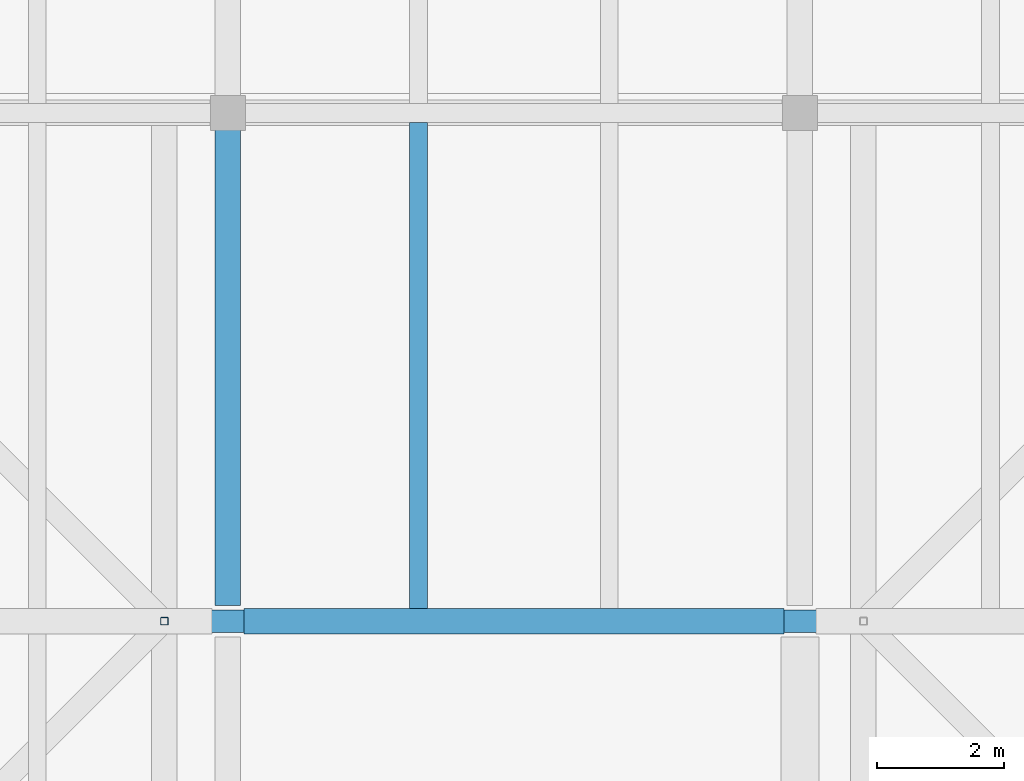
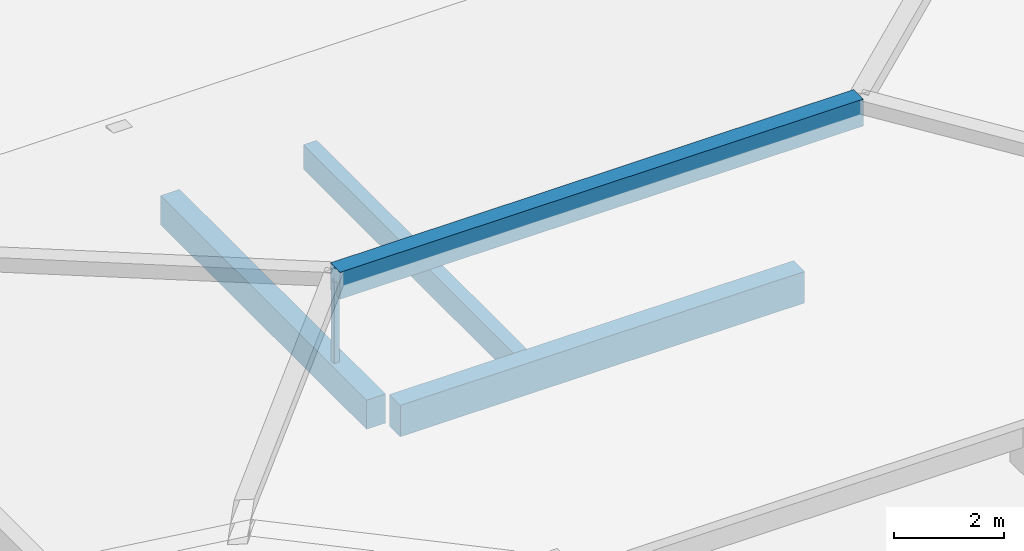
# One storey, part 25 of 56: 4 beams, 1 member.
"""IFC4 building model written with IfcOpenShell, lengths in metres."""

from ifc_helpers import new_model, si_unit, direction, frame, origin, origin_2d, place, context, subcontext, project, spatial, rectangle, hollow_rectangle, extrude, material, material_profile, profile_set, type_object, element, save


model = new_model("IFC4")

# Units and contexts
model_context = context("Model", 3, precision=1e-05, world=origin(), true_north=direction((0.0, 1.0)))
body_context = subcontext(model_context, "Body", "Model", "MODEL_VIEW")
ifc_project = project(units=[si_unit("LENGTHUNIT", "METRE"), si_unit("AREAUNIT", "SQUARE_METRE"), si_unit("VOLUMEUNIT", "CUBIC_METRE"), si_unit("PLANEANGLEUNIT", "RADIAN"), si_unit("MASSUNIT", "GRAM", prefix="KILO")], contexts=[model_context])

# Site, building, storey
site_placement = place(None, origin())
site = spatial("IfcSite", under=ifc_project, at=site_placement, CompositionType="ELEMENT")
building_placement = place(site_placement, origin())
building = spatial("IfcBuilding", under=site, at=building_placement, Name="Zacnel Wholesale Market", CompositionType="ELEMENT")
storey_placement = place(building_placement, frame((0.0, 0.0, 20.300048828125)))
storey = spatial("IfcBuildingStorey", under=building, at=storey_placement, Name="RF", CompositionType="ELEMENT", Elevation=20.300048828125)

# Beams
ifc_material_1 = material(Name="Concrete C40/50", Category="concrete")
ifc_material_profile_1 = material_profile(ifc_material_1, rectangle(XDim=0.35009765625, YDim=0.60009765625, at=origin_2d()), Name="ARCH RIB 350x600")
ifc_profile_set_1 = profile_set([ifc_material_profile_1], Name="Concrete C40/50")
beam_type_1 = type_object("IfcBeamType", Name="BM-AR600", PredefinedType="USERDEFINED", material=ifc_profile_set_1)
beam_1_placement = place(storey_placement, frame((170.0, 16.0, 2.780029296875), z_axis=(1.0, 0.0, 0.0), x_axis=(0.0, 1.0, 0.0)))
element("IfcBeam", 1, at=beam_1_placement, inside=storey, type_object=beam_type_1, Name="Hipped crown ridge STR-ROOF-V5ZIG", ObjectType="ARCH RIB", PredefinedType="USERDEFINED", context=body_context, shape_type="SweptSolid", body=[
    extrude(rectangle(XDim=0.35009765625, YDim=0.60009765625, at=origin_2d()), origin(), (0.0, 0.0, 1.0), 11.0),
])
ifc_material_2 = material(Name="Precast concrete C45/55", Category="concrete")
ifc_material_profile_2 = material_profile(ifc_material_2, rectangle(XDim=0.280029296875, YDim=0.550048828125, at=origin_2d()), Name="DT RIB 280x550")
ifc_profile_set_2 = profile_set([ifc_material_profile_2], Name="Precast concrete C45/55")
beam_type_2 = type_object("IfcBeamType", Name="BM-DT550", PredefinedType="JOIST", material=ifc_profile_set_2)
beam_2_placement = place(storey_placement, frame((174.0, 16.199951171875, -0.574951171875), z_axis=(0.0, 1.0, 0.0), x_axis=(-1.0, 0.0, 0.0)))
element("IfcBeam", 2, at=beam_2_placement, inside=storey, type_object=beam_type_2, Name="Precast secondary joist RF-0809", PredefinedType="JOIST", context=body_context, shape_type="SweptSolid", body=[
    extrude(rectangle(XDim=0.280029296875, YDim=0.550048828125, at=origin_2d()), origin(), (0.0, 0.0, 1.0), 7.650146484375),
])
ifc_material_3 = material(Name="Precast concrete C45/55", Category="concrete")
ifc_material_profile_3 = material_profile(ifc_material_3, rectangle(XDim=0.39990234375, YDim=0.64990234375, at=origin_2d()), Name="PG 400x650")
ifc_profile_set_3 = profile_set([ifc_material_profile_3], Name="Precast concrete C45/55")
beam_type_3 = type_object("IfcBeamType", Name="BM-PG650", PredefinedType="BEAM", material=ifc_profile_set_3)
beam_3_placement = place(storey_placement, frame((171.0, 16.25, -0.625), z_axis=(0.0, 1.0, 0.0), x_axis=(-1.0, 0.0, 0.0)))
element("IfcBeam", 3, at=beam_3_placement, inside=storey, type_object=beam_type_3, Name="Precast girder Y-1504", PredefinedType="BEAM", context=body_context, shape_type="SweptSolid", body=[
    extrude(rectangle(XDim=0.39990234375, YDim=0.64990234375, at=origin_2d()), origin(), (0.0, 0.0, 1.0), 7.5),
])
ifc_material_4 = material(Name="Precast concrete C45/55", Category="concrete")
ifc_material_profile_4 = material_profile(ifc_material_4, rectangle(XDim=0.39990234375, YDim=0.699951171875, at=origin_2d()), Name="PG 400x700")
ifc_profile_set_4 = profile_set([ifc_material_profile_4], Name="Precast concrete C45/55")
beam_type_4 = type_object("IfcBeamType", Name="BM-PG700", PredefinedType="BEAM", material=ifc_profile_set_4)
beam_4_placement = place(storey_placement, frame((171.25, 16.0, -0.650146484375), z_axis=(1.0, 0.0, 0.0), x_axis=(0.0, 1.0, 0.0)))
element("IfcBeam", 4, at=beam_4_placement, inside=storey, type_object=beam_type_4, Name="Precast girder X-1338", PredefinedType="BEAM", context=body_context, shape_type="SweptSolid", body=[
    extrude(rectangle(XDim=0.39990234375, YDim=0.699951171875, at=origin_2d()), origin(), (0.0, 0.0, 1.0), 8.5),
])

# Member
ifc_material_5 = material(Name="Steel S355", Category="steel")
ifc_material_profile_5 = material_profile(ifc_material_5, hollow_rectangle(XDim=0.1201171875, YDim=0.1201171875, WallThickness=0.00634765625, InnerFilletRadius=0.006103515625, OuterFilletRadius=0.011962890625, at=origin_2d()), Name="HSS 120x120x6.3")
ifc_profile_set_5 = profile_set([ifc_material_profile_5], Name="Steel S355")
member_type = type_object("IfcMemberType", Name="MEM-PST-HSS120", PredefinedType="POST", material=ifc_profile_set_5)
member_placement = place(storey_placement, frame((170.0, 16.0, 1.0), z_axis=(0.0, 0.0, 1.0), x_axis=(1.0, 0.0, 0.0)))
element("IfcMember", 5, at=member_placement, inside=storey, type_object=member_type, Name="Hipped crown king-post STR-ROOF-V5ZIG-1", PredefinedType="POST", context=body_context, shape_type="SweptSolid", body=[
    extrude(hollow_rectangle(XDim=0.1201171875, YDim=0.1201171875, WallThickness=0.00634765625, InnerFilletRadius=0.006103515625, OuterFilletRadius=0.011962890625, at=origin_2d()), origin(), (0.0, 0.0, 1.0), 1.800048828125),
])

save(model, "model.ifc")
